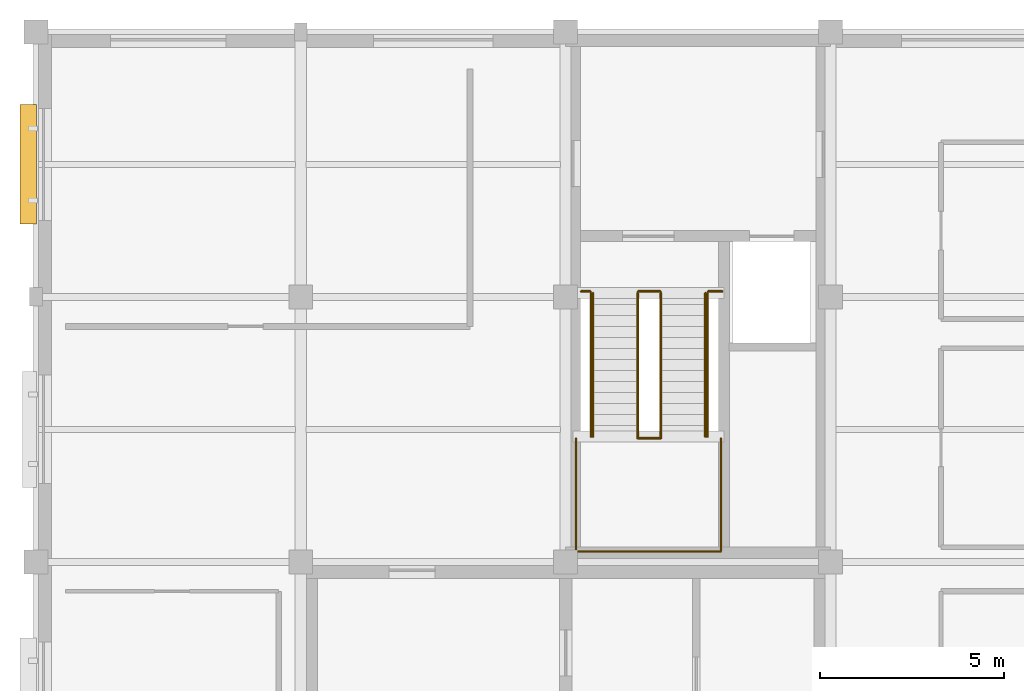
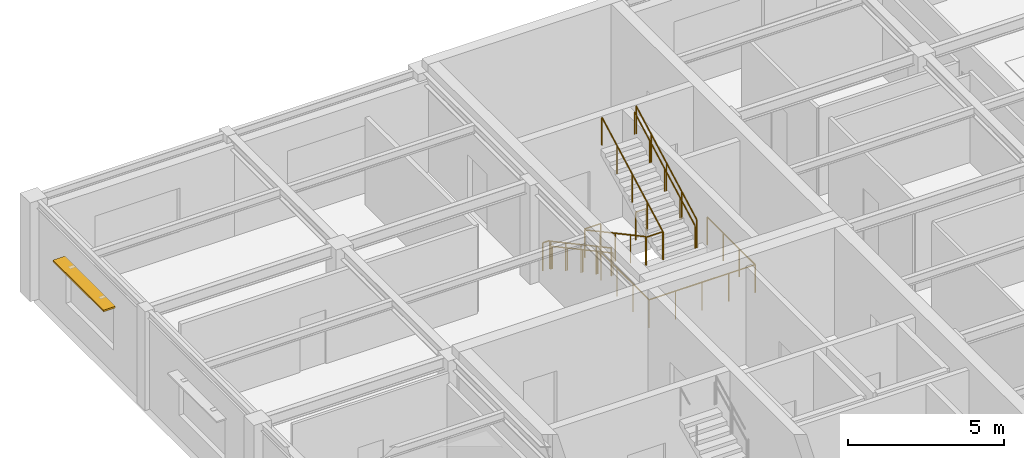
# One storey, part 81 of 83: 11 railings, 1 shading device.
"""IFC4 building model written with IfcOpenShell, lengths in metres."""

from ifc_helpers import new_model, si_unit, direction, frame, origin, origin_2d, place, context, subcontext, project, spatial, rectangle, circle, extrude, material, layer, layer_set, type_object, element, save


model = new_model("IFC4")

# Units and contexts
model_context = context("Model", 3, precision=1e-05, world=origin(), true_north=direction((0.0, 1.0)))
body_context = subcontext(model_context, "Body", "Model", "MODEL_VIEW")
ifc_project = project(units=[si_unit("LENGTHUNIT", "METRE"), si_unit("AREAUNIT", "SQUARE_METRE"), si_unit("VOLUMEUNIT", "CUBIC_METRE"), si_unit("PLANEANGLEUNIT", "RADIAN"), si_unit("MASSUNIT", "GRAM", prefix="KILO")], contexts=[model_context])

# Site, building, storey
site_placement = place(None, origin())
site = spatial("IfcSite", under=ifc_project, at=site_placement, CompositionType="ELEMENT")
building_placement = place(site_placement, origin())
building = spatial("IfcBuilding", under=site, at=building_placement, Name="Leyfeld Transit Interchange", CompositionType="ELEMENT")
storey_placement = place(building_placement, frame((0.0, 0.0, 5.39990234375)))
storey = spatial("IfcBuildingStorey", under=building, at=storey_placement, Name="L01", CompositionType="ELEMENT", Elevation=5.39990234375)

# Railings
ifc_material_1 = material(Name="Stainless steel EN 1.4404", Category="steel")
railing_type_1 = type_object("IfcRailingType", Name="RL-STR-GRD-1100", PredefinedType="GUARDRAIL", material=ifc_material_1)
railing_1_placement = place(storey_placement, frame((14.820068359375, 115.35009765625, 0.0)))
element("IfcRailing", 1, at=railing_1_placement, inside=storey, type_object=railing_type_1, Name="Stair ST-02 Landing Guard FLW L01", PredefinedType="GUARDRAIL", context=body_context, shape_type="SweptSolid", body=[
    extrude(circle(Radius=0.02392578125, at=origin_2d()), frame((0.0, 0.0, 1.09619140625), z_axis=(1.0, 0.0, 0.0), x_axis=(0.0, 1.0, 0.0)), (0.0, 0.0, 1.0), 0.25),
    extrude(circle(Radius=0.02099609375, at=origin_2d()), origin(), (0.0, 0.0, 1.0), 1.072021484375),
    extrude(circle(Radius=0.02099609375, at=origin_2d()), frame((0.25, 0.0, 0.0)), (0.0, 0.0, 1.0), 1.072021484375),
])
railing_2_placement = place(storey_placement, frame((16.3701171875, 115.35009765625, 0.0)))
element("IfcRailing", 2, at=railing_2_placement, inside=storey, type_object=railing_type_1, Name="Stair ST-02 Landing Guard EYE L01", PredefinedType="GUARDRAIL", context=body_context, shape_type="SweptSolid", body=[
    extrude(circle(Radius=0.02392578125, at=origin_2d()), frame((0.0, 0.0, 1.09619140625), z_axis=(1.0, 0.0, 0.0), x_axis=(0.0, 1.0, 0.0)), (0.0, 0.0, 1.0), 0.599853515625),
    extrude(circle(Radius=0.02099609375, at=origin_2d()), origin(), (0.0, 0.0, 1.0), 1.072021484375),
    extrude(circle(Radius=0.02099609375, at=origin_2d()), frame((0.599853515625, 0.0, 0.0)), (0.0, 0.0, 1.0), 1.072021484375),
])
railing_3_placement = place(storey_placement, frame((18.27001953125, 115.35009765625, 0.0)))
element("IfcRailing", 3, at=railing_3_placement, inside=storey, type_object=railing_type_1, Name="Stair ST-02 Landing Guard FLE L01", PredefinedType="GUARDRAIL", context=body_context, shape_type="SweptSolid", body=[
    extrude(circle(Radius=0.02392578125, at=origin_2d()), frame((0.0, 0.0, 1.09619140625), z_axis=(1.0, 0.0, 0.0), x_axis=(0.0, 1.0, 0.0)), (0.0, 0.0, 1.0), 0.3798828125),
    extrude(circle(Radius=0.02099609375, at=origin_2d()), origin(), (0.0, 0.0, 1.0), 1.072021484375),
    extrude(circle(Radius=0.02099609375, at=origin_2d()), frame((0.3798828125, 0.0, 0.0)), (0.0, 0.0, 1.0), 1.072021484375),
])
railing_4_placement = place(storey_placement, frame((16.35498046875, 111.360107421875, 2.10009765625)))
element("IfcRailing", 4, at=railing_4_placement, inside=storey, type_object=railing_type_1, Name="Stair ST-02 L01 Half-Landing Inner Guard", PredefinedType="GUARDRAIL", context=body_context, shape_type="SweptSolid", body=[
    extrude(circle(Radius=0.02392578125, at=origin_2d()), frame((0.0, 0.0, 1.09619140625), z_axis=(1.0, 0.0, 0.0), x_axis=(0.0, 1.0, 0.0)), (0.0, 0.0, 1.0), 0.630126953125),
    extrude(circle(Radius=0.02099609375, at=origin_2d()), origin(), (0.0, 0.0, 1.0), 1.072021484375),
    extrude(circle(Radius=0.02099609375, at=origin_2d()), frame((0.630126953125, 0.0, 0.0)), (0.0, 0.0, 1.0), 1.072021484375),
])
railing_5_placement = place(storey_placement, frame((14.679931640625, 111.360107421875, 2.10009765625)))
element("IfcRailing", 5, at=railing_5_placement, inside=storey, type_object=railing_type_1, Name="Stair ST-02 L01 Half-Landing Perimeter Guard", PredefinedType="GUARDRAIL", context=body_context, shape_type="SweptSolid", body=[
    extrude(circle(Radius=0.02392578125, at=origin_2d()), frame((0.0, 0.0, 1.09619140625), z_axis=(0.0, -1.0, 0.0), x_axis=(1.0, 0.0, 0.0)), (0.0, 0.0, 1.0), 3.080078125),
    extrude(circle(Radius=0.02392578125, at=origin_2d()), frame((0.0, -3.080078125, 1.09619140625), z_axis=(1.0, 0.0, 0.0), x_axis=(0.0, 1.0, 0.0)), (0.0, 0.0, 1.0), 3.940185546875),
    extrude(circle(Radius=0.02392578125, at=origin_2d()), frame((3.940185546875, -3.080078125, 1.09619140625), z_axis=(0.0, 1.0, 0.0), x_axis=(-1.0, 0.0, 0.0)), (0.0, 0.0, 1.0), 3.080078125),
    extrude(circle(Radius=0.02099609375, at=origin_2d()), origin(), (0.0, 0.0, 1.0), 1.072021484375),
    extrude(circle(Radius=0.02099609375, at=origin_2d()), frame((0.0, -1.026611328125, 0.0)), (0.0, 0.0, 1.0), 1.072021484375),
    extrude(circle(Radius=0.02099609375, at=origin_2d()), frame((0.0, -2.053466796875, 0.0)), (0.0, 0.0, 1.0), 1.072021484375),
    extrude(circle(Radius=0.02099609375, at=origin_2d()), frame((0.0, -3.080078125, 0.0)), (0.0, 0.0, 1.0), 1.072021484375),
    extrude(circle(Radius=0.02099609375, at=origin_2d()), frame((0.985107421875, -3.080078125, 0.0)), (0.0, 0.0, 1.0), 1.072021484375),
    extrude(circle(Radius=0.02099609375, at=origin_2d()), frame((1.97021484375, -3.080078125, 0.0)), (0.0, 0.0, 1.0), 1.072021484375),
    extrude(circle(Radius=0.02099609375, at=origin_2d()), frame((2.955078125, -3.080078125, 0.0)), (0.0, 0.0, 1.0), 1.072021484375),
    extrude(circle(Radius=0.02099609375, at=origin_2d()), frame((3.940185546875, -3.080078125, 0.0)), (0.0, 0.0, 1.0), 1.072021484375),
    extrude(circle(Radius=0.02099609375, at=origin_2d()), frame((3.940185546875, -2.053466796875, 0.0)), (0.0, 0.0, 1.0), 1.072021484375),
    extrude(circle(Radius=0.02099609375, at=origin_2d()), frame((3.940185546875, -1.026611328125, 0.0)), (0.0, 0.0, 1.0), 1.072021484375),
    extrude(circle(Radius=0.02099609375, at=origin_2d()), frame((3.940185546875, 0.0, 0.0)), (0.0, 0.0, 1.0), 1.072021484375),
])
for number, where, name in (
    (6, (16.35498046875, 115.300048828125, 0.0), "Stair ST-02 L01 F1 Inner Guard"),
    (7, (15.0849609375, 115.300048828125, 0.0), "Stair ST-02 L01 F1 Outer Guard"),
):
    element("IfcRailing", number, at=place(storey_placement, frame(where)), inside=storey, type_object=railing_type_1, Name=name, PredefinedType="GUARDRAIL", context=body_context, shape_type="SweptSolid", body=[
        extrude(circle(Radius=0.02392578125, at=origin_2d()), frame((0.0, 0.0, 1.09619140625), z_axis=(0.0, -0.880469330154, 0.474103109733), x_axis=(1.0, 0.0, 0.0)), (0.0, 0.0, 1.0), 4.4296875),
        extrude(circle(Radius=0.02099609375, at=origin_2d()), origin(), (0.0, 0.0, 1.0), 1.072021484375),
        extrude(circle(Radius=0.02099609375, at=origin_2d()), frame((0.0, -0.97509765625, 0.52490234375)), (0.0, 0.0, 1.0), 1.072021484375),
        extrude(circle(Radius=0.02099609375, at=origin_2d()), frame((0.0, -1.9501953125, 1.050048828125)), (0.0, 0.0, 1.0), 1.072021484375),
        extrude(circle(Radius=0.02099609375, at=origin_2d()), frame((0.0, -2.925048828125, 1.5751953125)), (0.0, 0.0, 1.0), 1.072021484375),
        extrude(circle(Radius=0.02099609375, at=origin_2d()), frame((0.0, -3.900146484375, 2.10009765625)), (0.0, 0.0, 1.0), 1.072021484375),
    ])
for number, where, name in (
    (8, (16.985107421875, 111.39990234375, 2.10009765625), "Stair ST-02 L01 F2 Inner Guard"),
    (9, (18.2548828125, 111.39990234375, 2.10009765625), "Stair ST-02 L01 F2 Outer Guard"),
):
    element("IfcRailing", number, at=place(storey_placement, frame(where)), inside=storey, type_object=railing_type_1, Name=name, PredefinedType="GUARDRAIL", context=body_context, shape_type="SweptSolid", body=[
        extrude(circle(Radius=0.02392578125, at=origin_2d()), frame((0.0, 0.0, 1.09619140625), z_axis=(0.0, 0.880469330154, 0.474103109733), x_axis=(-1.0, 0.0, 0.0)), (0.0, 0.0, 1.0), 4.4296875),
        extrude(circle(Radius=0.02099609375, at=origin_2d()), origin(), (0.0, 0.0, 1.0), 1.072021484375),
        extrude(circle(Radius=0.02099609375, at=origin_2d()), frame((0.0, 0.97509765625, 0.52490234375)), (0.0, 0.0, 1.0), 1.072021484375),
        extrude(circle(Radius=0.02099609375, at=origin_2d()), frame((0.0, 1.9501953125, 1.050048828125)), (0.0, 0.0, 1.0), 1.072021484375),
        extrude(circle(Radius=0.02099609375, at=origin_2d()), frame((0.0, 2.925048828125, 1.5751953125)), (0.0, 0.0, 1.0), 1.072021484375),
        extrude(circle(Radius=0.02099609375, at=origin_2d()), frame((0.0, 3.900146484375, 2.10009765625)), (0.0, 0.0, 1.0), 1.072021484375),
    ])
railing_type_2 = type_object("IfcRailingType", Name="RL-STR-HND-900", PredefinedType="HANDRAIL", material=ifc_material_1)
railing_6_placement = place(storey_placement, frame((15.14501953125, 115.300048828125, 0.0)))
element("IfcRailing", 10, at=railing_6_placement, inside=storey, type_object=railing_type_2, Name="Stair ST-02 L01 F1 Handrail", PredefinedType="HANDRAIL", context=body_context, shape_type="SweptSolid", body=[
    extrude(circle(Radius=0.02392578125, at=origin_2d()), frame((0.0, 0.0, 0.8759765625), z_axis=(0.0, -0.880469330154, 0.474103109733), x_axis=(1.0, 0.0, 0.0)), (0.0, 0.0, 1.0), 4.4296875),
    extrude(circle(Radius=0.02099609375, at=origin_2d()), origin(), (0.0, 0.0, 1.0), 0.851806640625),
    extrude(circle(Radius=0.02099609375, at=origin_2d()), frame((0.0, -0.97509765625, 0.52490234375)), (0.0, 0.0, 1.0), 0.851806640625),
    extrude(circle(Radius=0.02099609375, at=origin_2d()), frame((0.0, -1.9501953125, 1.050048828125)), (0.0, 0.0, 1.0), 0.851806640625),
    extrude(circle(Radius=0.02099609375, at=origin_2d()), frame((0.0, -2.925048828125, 1.5751953125)), (0.0, 0.0, 1.0), 0.851806640625),
    extrude(circle(Radius=0.02099609375, at=origin_2d()), frame((0.0, -3.900146484375, 2.10009765625)), (0.0, 0.0, 1.0), 0.851806640625),
])
railing_7_placement = place(storey_placement, frame((18.195068359375, 111.39990234375, 2.10009765625)))
element("IfcRailing", 11, at=railing_7_placement, inside=storey, type_object=railing_type_2, Name="Stair ST-02 L01 F2 Handrail", PredefinedType="HANDRAIL", context=body_context, shape_type="SweptSolid", body=[
    extrude(circle(Radius=0.02392578125, at=origin_2d()), frame((0.0, 0.0, 0.8759765625), z_axis=(0.0, 0.880469330154, 0.474103109733), x_axis=(-1.0, 0.0, 0.0)), (0.0, 0.0, 1.0), 4.4296875),
    extrude(circle(Radius=0.02099609375, at=origin_2d()), origin(), (0.0, 0.0, 1.0), 0.851806640625),
    extrude(circle(Radius=0.02099609375, at=origin_2d()), frame((0.0, 0.97509765625, 0.52490234375)), (0.0, 0.0, 1.0), 0.851806640625),
    extrude(circle(Radius=0.02099609375, at=origin_2d()), frame((0.0, 1.9501953125, 1.050048828125)), (0.0, 0.0, 1.0), 0.851806640625),
    extrude(circle(Radius=0.02099609375, at=origin_2d()), frame((0.0, 2.925048828125, 1.5751953125)), (0.0, 0.0, 1.0), 0.851806640625),
    extrude(circle(Radius=0.02099609375, at=origin_2d()), frame((0.0, 3.900146484375, 2.10009765625)), (0.0, 0.0, 1.0), 0.851806640625),
])

# Shading device
ifc_material_2 = material(Name="Austrian larch glulam GL28h", Category="wood")
ifc_layer = layer(ifc_material_2, 0.06494140625, Name="Austrian larch glulam GL28h")
ifc_layer_set = layer_set([ifc_layer], Name="Austrian larch glulam GL28h")
shading_device_type = type_object("IfcShadingDeviceType", Name="SHD-LRC-450", PredefinedType="JALOUSIE", material=ifc_layer_set)
shading_device_placement = place(storey_placement, frame((-0.205078125, 118.800048828125, 2.61767578125), z_axis=(0.0, 0.0, 1.0), x_axis=(0.0, 1.0, 0.0)))
element("IfcShadingDevice", 12, at=shading_device_placement, inside=storey, type_object=shading_device_type, Name="Prairie Solar Shading Fin 015", PredefinedType="JALOUSIE", context=body_context, shape_type="SweptSolid", body=[
    extrude(rectangle(XDim=3.25, YDim=0.449951171875, at=origin_2d()), origin(), (0.0, 0.0, 1.0), 0.06494140625),
])

save(model, "model.ifc")
